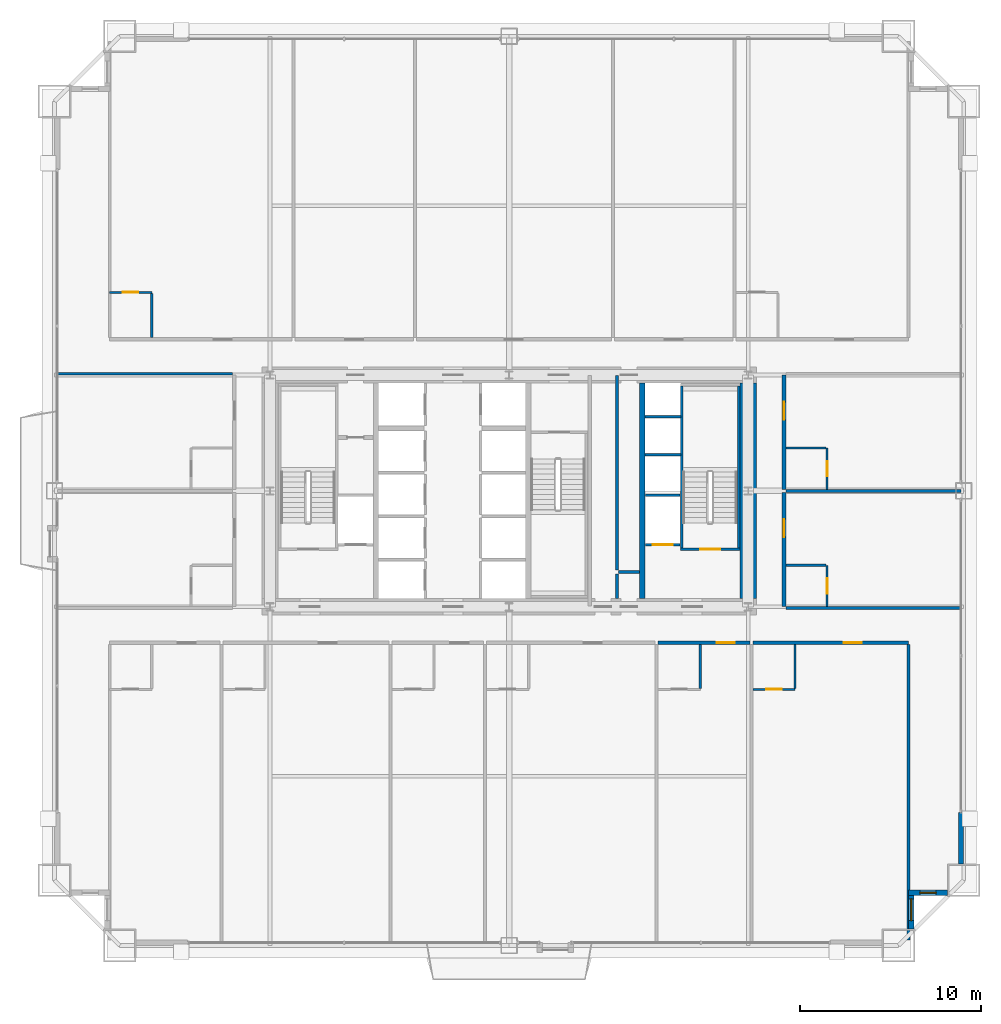
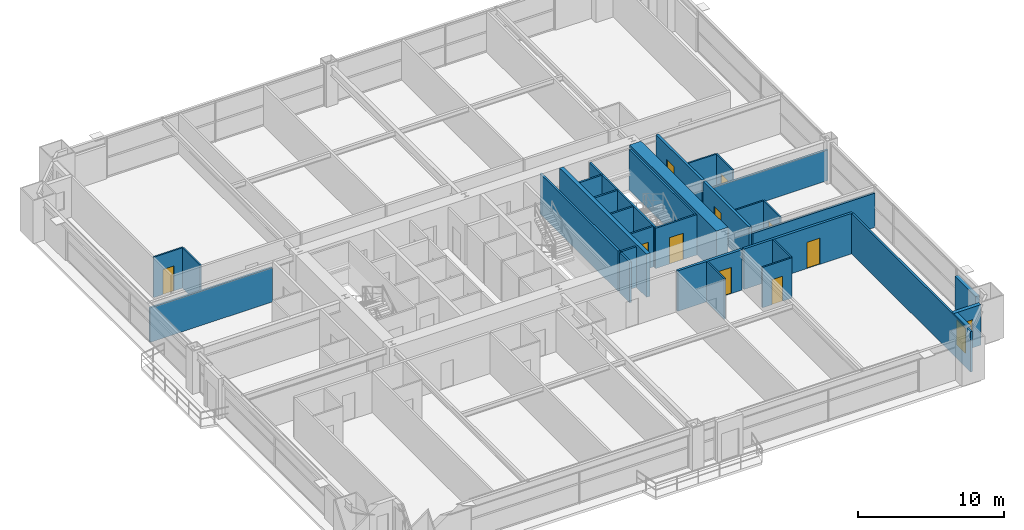
# One storey, part 43 of 46: 32 walls, 10 doors, 2 windows, 12 openings.
"""IFC4 building model written with IfcOpenShell, lengths in metres."""

from ifc_helpers import new_model, si_unit, direction, frame, frame_2d, origin, place, context, subcontext, project, spatial, rectangle, extrude, source, transform, mapped, material, layer, layer_set, type_object, element, fill, save


model = new_model("IFC4")

# Units and contexts
model_context = context("Model", 3, precision=1e-05, world=origin(), true_north=direction((0.0, 1.0)))
body_context = subcontext(model_context, "Body", "Model", "MODEL_VIEW")
ifc_project = project(units=[si_unit("LENGTHUNIT", "METRE"), si_unit("AREAUNIT", "SQUARE_METRE"), si_unit("VOLUMEUNIT", "CUBIC_METRE"), si_unit("PLANEANGLEUNIT", "RADIAN"), si_unit("MASSUNIT", "GRAM", prefix="KILO"), si_unit("THERMODYNAMICTEMPERATUREUNIT", "KELVIN"), si_unit("POWERUNIT", "WATT")], contexts=[model_context])

# Site, building, storey
site_placement = place(None, origin())
site = spatial("IfcSite", under=ifc_project, at=site_placement, CompositionType="ELEMENT")
building_placement = place(site_placement, origin())
building = spatial("IfcBuilding", under=site, at=building_placement, Name="Yuzanri Waterfront Tower", CompositionType="ELEMENT")
storey_placement = place(building_placement, frame((0.0, 0.0, 56.800048828125)))
storey = spatial("IfcBuildingStorey", under=building, at=storey_placement, Name="L14", CompositionType="ELEMENT", Elevation=56.800048828125)

# Wall, opening, door
ifc_material_1 = material(Name="Moisture-Resistant Gypsum Stud Wall", Category="gypsum")
ifc_layer_1 = layer(ifc_material_1, 0.1201171875)
ifc_layer_set_1 = layer_set([ifc_layer_1], Name="Moisture-Resistant Gypsum Stud Wall")
wall_type_1 = type_object("IfcWallType", Name="Bathroom and Kitchen Wet Partition 120", PredefinedType="PARTITIONING", material=ifc_layer_set_1)
wall_1_placement = place(storey_placement, frame((50.462890625, 14.840087890625, 0.0), z_axis=(0.0, 0.0, 1.0), x_axis=(1.0, 0.0, 0.0)))
wall_1 = element("IfcWall", 1, at=wall_1_placement, inside=storey, type_object=wall_type_1, Name="L14 Partition UW-L14-S6-BS", PredefinedType="PARTITIONING", context=body_context, shape_type="SweptSolid", body=[
    extrude(rectangle(XDim=2.330078125, YDim=0.1201171875, at=frame_2d((1.1650390625, 0.0))), origin(), (0.0, 0.0, 1.0), 3.3798828125),
])
opening_1_placement = place(wall_1_placement, frame((0.739990234375, 0.0, 0.0)))
opening_1 = element("IfcOpeningElement", 2, at=opening_1_placement, cuts=wall_1, Name="Opening ID-0850", PredefinedType="OPENING", context=body_context, shape_type="SweptSolid", body=[
    extrude(rectangle(XDim=0.85009765625, YDim=2.10009765625, at=frame_2d((0.425048828125, 1.050048828125))), frame((0.0, 0.074951171875, 0.0), z_axis=(0.0, -1.0, 0.0), x_axis=(1.0, 0.0, 0.0)), (0.0, 0.0, 1.0), 0.14990234375),
])
ifc_material_2 = material(Name="Moisture-Resistant Lacquered Timber", Category="wood")
door_type_1 = type_object("IfcDoorType", Name="En-Suite Bathroom and Kitchen Swing Door 850x2100", OperationType="NOTDEFINED", PredefinedType="DOOR", material=ifc_material_2)
shared_shape_1 = source(origin(), body_context, "Body", "SweptSolid", [
    extrude(rectangle(XDim=0.85009765625, YDim=2.10009765625, at=frame_2d((0.425048828125, 1.050048828125))), frame((0.0, 0.02490234375, 0.0), z_axis=(0.0, -1.0, 0.0), x_axis=(1.0, 0.0, 0.0)), (0.0, 0.0, 1.0), 0.050048828125),
])
door_1_placement = place(opening_1_placement, origin())
door_1 = element("IfcDoor", 3, at=door_1_placement, inside=storey, type_object=door_type_1, Name="L14 Guest En-Suite Door", OperationType="SINGLE_SWING_RIGHT", OverallHeight=2.10009765625, OverallWidth=0.85009765625, PredefinedType="DOOR", context=body_context, shape_type="MappedRepresentation", body=[
    mapped(shared_shape_1, transform((0.0, 0.0, 0.0), scale=1.0)),
])
fill(opening_1, door_1)

wall_2_placement = place(storey_placement, frame((14.93994140625, 36.760009765625, 0.0), z_axis=(0.0, 0.0, 1.0), x_axis=(1.0, 0.0, 0.0)))
wall_2 = element("IfcWall", 4, at=wall_2_placement, inside=storey, type_object=wall_type_1, Name="L14 Partition UW-L14-N1-BN", PredefinedType="PARTITIONING", context=body_context, shape_type="SweptSolid", body=[
    extrude(rectangle(XDim=2.330078125, YDim=0.1201171875, at=frame_2d((1.1650390625, 0.0))), origin(), (0.0, 0.0, 1.0), 3.3798828125),
])
opening_2_placement = place(wall_2_placement, frame((0.739990234375, 0.0, 0.0)))
opening_2 = element("IfcOpeningElement", 5, at=opening_2_placement, cuts=wall_2, Name="Opening ID-0850", PredefinedType="OPENING", context=body_context, shape_type="SweptSolid", body=[
    extrude(rectangle(XDim=0.85009765625, YDim=2.10009765625, at=frame_2d((0.425048828125, 1.050048828125))), frame((0.0, 0.074951171875, 0.0), z_axis=(0.0, -1.0, 0.0), x_axis=(1.0, 0.0, 0.0)), (0.0, 0.0, 1.0), 0.14990234375),
])
door_2_placement = place(opening_2_placement, origin())
door_2 = element("IfcDoor", 6, at=door_2_placement, inside=storey, type_object=door_type_1, Name="L14 Guest En-Suite Door", OperationType="SINGLE_SWING_RIGHT", OverallHeight=2.10009765625, OverallWidth=0.85009765625, PredefinedType="DOOR", context=body_context, shape_type="MappedRepresentation", body=[
    mapped(shared_shape_1, transform((0.0, 0.0, 0.0), scale=1.0)),
])
fill(opening_2, door_2)

wall_3_placement = place(storey_placement, frame((54.56005859375, 19.409912109375, 0.0), z_axis=(0.0, 0.0, 1.0), x_axis=(0.0, 1.0, 0.0)))
wall_3 = element("IfcWall", 7, at=wall_3_placement, inside=storey, type_object=wall_type_1, Name="L14 Partition UW-L14-E1-BE2", PredefinedType="PARTITIONING", context=body_context, shape_type="SweptSolid", body=[
    extrude(rectangle(XDim=2.280029296875, YDim=0.1201171875, at=frame_2d((1.14013671875, 0.0))), origin(), (0.0, 0.0, 1.0), 3.3798828125),
])
opening_3_placement = place(wall_3_placement, frame((0.715087890625, 0.0, 0.0)))
opening_3 = element("IfcOpeningElement", 8, at=opening_3_placement, cuts=wall_3, Name="Opening ID-0850", PredefinedType="OPENING", context=body_context, shape_type="SweptSolid", body=[
    extrude(rectangle(XDim=0.85009765625, YDim=2.10009765625, at=frame_2d((0.425048828125, 1.050048828125))), frame((0.0, 0.074951171875, 0.0), z_axis=(0.0, -1.0, 0.0), x_axis=(1.0, 0.0, 0.0)), (0.0, 0.0, 1.0), 0.14990234375),
])
door_3_placement = place(opening_3_placement, origin())
door_3 = element("IfcDoor", 9, at=door_3_placement, inside=storey, type_object=door_type_1, Name="L14 Guest En-Suite Door", OperationType="SINGLE_SWING_LEFT", OverallHeight=2.10009765625, OverallWidth=0.85009765625, PredefinedType="DOOR", context=body_context, shape_type="MappedRepresentation", body=[
    mapped(shared_shape_1, transform((0.0, 0.0, 0.0), scale=1.0)),
])
fill(opening_3, door_3)

wall_4_placement = place(storey_placement, frame((54.56005859375, 25.8798828125, 0.0), z_axis=(0.0, 0.0, 1.0), x_axis=(0.0, 1.0, 0.0)))
wall_4 = element("IfcWall", 10, at=wall_4_placement, inside=storey, type_object=wall_type_1, Name="L14 Partition UW-L14-E2-BE2", PredefinedType="PARTITIONING", context=body_context, shape_type="SweptSolid", body=[
    extrude(rectangle(XDim=2.280029296875, YDim=0.1201171875, at=frame_2d((1.14013671875, 0.0))), origin(), (0.0, 0.0, 1.0), 3.3798828125),
])
opening_4_placement = place(wall_4_placement, frame((0.715087890625, 0.0, 0.0)))
opening_4 = element("IfcOpeningElement", 11, at=opening_4_placement, cuts=wall_4, Name="Opening ID-0850", PredefinedType="OPENING", context=body_context, shape_type="SweptSolid", body=[
    extrude(rectangle(XDim=0.85009765625, YDim=2.10009765625, at=frame_2d((0.425048828125, 1.050048828125))), frame((0.0, 0.074951171875, 0.0), z_axis=(0.0, -1.0, 0.0), x_axis=(1.0, 0.0, 0.0)), (0.0, 0.0, 1.0), 0.14990234375),
])
door_4_placement = place(opening_4_placement, origin())
door_4 = element("IfcDoor", 12, at=door_4_placement, inside=storey, type_object=door_type_1, Name="L14 Guest En-Suite Door", OperationType="SINGLE_SWING_LEFT", OverallHeight=2.10009765625, OverallWidth=0.85009765625, PredefinedType="DOOR", context=body_context, shape_type="MappedRepresentation", body=[
    mapped(shared_shape_1, transform((0.0, 0.0, 0.0), scale=1.0)),
])
fill(opening_4, door_4)

# Wall, opening, window
ifc_material_3 = material(Name="Honed Chongqing Dark Basalt Stone", Category="masonry")
ifc_layer_2 = layer(ifc_material_3, 0.300048828125)
ifc_layer_set_2 = layer_set([ifc_layer_2], Name="Honed Chongqing Dark Basalt Stone")
wall_type_2 = type_object("IfcWallType", Name="Bronze Rainscreen Insulated Spandrel Portal Wall 300", PredefinedType="SOLIDWALL", material=ifc_layer_set_2)
wall_5_placement = place(storey_placement, frame((59.050048828125, 3.60009765625, 0.0), z_axis=(0.0, 0.0, 1.0), x_axis=(1.0, 0.0, 0.0)))
wall_5 = element("IfcWall", 13, at=wall_5_placement, inside=storey, type_object=wall_type_2, Name="L14 Notched Corner Masonry Wall SE-X", PredefinedType="SOLIDWALL", context=body_context, shape_type="SweptSolid", body=[
    extrude(rectangle(XDim=2.14990234375, YDim=0.300048828125, at=frame_2d((1.074951171875, 0.0))), origin(), (0.0, 0.0, 1.0), 3.3798828125),
])
opening_5_placement = place(wall_5_placement, frame((0.625, 0.0, 0.85009765625)))
opening_5 = element("IfcOpeningElement", 14, at=opening_5_placement, cuts=wall_5, Name="Opening WN-05", PredefinedType="OPENING", context=body_context, shape_type="SweptSolid", body=[
    extrude(rectangle(XDim=0.89990234375, YDim=1.5, at=frame_2d((0.449951171875, 0.75))), frame((0.0, 0.1650390625, 0.0), z_axis=(0.0, -1.0, 0.0), x_axis=(1.0, 0.0, 0.0)), (0.0, 0.0, 1.0), 0.329833984375),
])
ifc_material_4 = material(Name="Double-Silver Low-E Insulated Glass", Category="glass")
window_type_1 = type_object("IfcWindowType", Name="Anodized Bronze Service and Stairwell Smoke-Vent Window 900x1500", PartitioningType="SINGLE_PANEL", PredefinedType="WINDOW", material=ifc_material_4)
shared_shape_2 = source(origin(), body_context, "Body", "SweptSolid", [
    extrude(rectangle(XDim=0.89990234375, YDim=1.5, at=frame_2d((0.449951171875, 0.75))), frame((0.0, 0.030029296875, 0.0), z_axis=(0.0, -1.0, 0.0), x_axis=(1.0, 0.0, 0.0)), (0.0, 0.0, 1.0), 0.06005859375),
])
window_1_placement = place(opening_5_placement, origin())
window_1 = element("IfcWindow", 15, at=window_1_placement, inside=storey, type_object=window_type_1, Name="L14 Notched Corner Window SE-X", OverallHeight=1.5, OverallWidth=0.89990234375, PartitioningType="SINGLE_PANEL", PredefinedType="WINDOW", context=body_context, shape_type="MappedRepresentation", body=[
    mapped(shared_shape_2, transform((0.0, 0.0, 0.0), scale=1.0)),
])
fill(opening_5, window_1)

wall_6_placement = place(storey_placement, frame((59.199951171875, 1.60009765625, 0.0), z_axis=(0.0, 0.0, 1.0), x_axis=(0.0, 1.0, 0.0)))
wall_6 = element("IfcWall", 16, at=wall_6_placement, inside=storey, type_object=wall_type_2, Name="L14 Notched Corner Masonry Wall SE-Y", PredefinedType="SOLIDWALL", context=body_context, shape_type="SweptSolid", body=[
    extrude(rectangle(XDim=2.14990234375, YDim=0.300048828125, at=frame_2d((1.074951171875, 0.0))), origin(), (0.0, 0.0, 1.0), 3.3798828125),
])
opening_6_placement = place(wall_6_placement, frame((0.47509765625, 0.0, 0.85009765625)))
opening_6 = element("IfcOpeningElement", 17, at=opening_6_placement, cuts=wall_6, Name="Opening WN-02", PredefinedType="OPENING", context=body_context, shape_type="SweptSolid", body=[
    extrude(rectangle(XDim=1.199951171875, YDim=2.10009765625, at=frame_2d((0.60009765625, 1.050048828125))), frame((0.0, 0.1650390625, 0.0), z_axis=(0.0, -1.0, 0.0), x_axis=(1.0, 0.0, 0.0)), (0.0, 0.0, 1.0), 0.329833984375),
])
ifc_material_5 = material(Name="Double-Silver Low-E Insulated Glass", Category="glass")
window_type_2 = type_object("IfcWindowType", Name="Anodized Bronze Notched Corner Deep-Set Slot Window 1200x2100", PartitioningType="SINGLE_PANEL", PredefinedType="WINDOW", material=ifc_material_5)
shared_shape_3 = source(origin(), body_context, "Body", "SweptSolid", [
    extrude(rectangle(XDim=1.199951171875, YDim=2.10009765625, at=frame_2d((0.60009765625, 1.050048828125))), frame((0.0, 0.030029296875, 0.0), z_axis=(0.0, -1.0, 0.0), x_axis=(1.0, 0.0, 0.0)), (0.0, 0.0, 1.0), 0.06005859375),
])
window_2_placement = place(opening_6_placement, origin())
window_2 = element("IfcWindow", 18, at=window_2_placement, inside=storey, type_object=window_type_2, Name="L14 Notched Corner Window SE-Y", OverallHeight=2.10009765625, OverallWidth=1.199951171875, PartitioningType="SINGLE_PANEL", PredefinedType="WINDOW", context=body_context, shape_type="MappedRepresentation", body=[
    mapped(shared_shape_3, transform((0.0, 0.0, 0.0), scale=1.0)),
])
fill(opening_6, window_2)

# Wall, opening, door
ifc_material_6 = material(Name="Concrete C40", Category="concrete")
ifc_layer_3 = layer(ifc_material_6, 0.139892578125)
ifc_layer_set_3 = layer_set([ifc_layer_3], Name="Concrete C40")
wall_type_3 = type_object("IfcWallType", Name="Core Stair Liner and Hoistway Shaft Wall 140", PredefinedType="SOLIDWALL", material=ifc_layer_set_3)
wall_7_placement = place(storey_placement, frame((44.52001953125, 22.830078125, 0.0), z_axis=(0.0, 0.0, 1.0), x_axis=(1.0, 0.0, 0.0)))
wall_7 = element("IfcWall", 19, at=wall_7_placement, inside=storey, type_object=wall_type_3, Name="L14 Lift FL-02 Front Shaft Wall", PredefinedType="SOLIDWALL", context=body_context, shape_type="SweptSolid", body=[
    extrude(rectangle(XDim=1.919921875, YDim=0.139892578125, at=frame_2d((0.9599609375, 0.0))), origin(), (0.0, 0.0, 1.0), 3.3798828125),
])
opening_7_placement = place(wall_7_placement, frame((0.409912109375, 0.0, 0.0)))
opening_7 = element("IfcOpeningElement", 20, at=opening_7_placement, cuts=wall_7, Name="Opening LD-FL-02", PredefinedType="OPENING", context=body_context, shape_type="SweptSolid", body=[
    extrude(rectangle(XDim=1.10009765625, YDim=2.199951171875, at=frame_2d((0.550048828125, 1.10009765625))), frame((0.0, 0.0849609375, 0.0), z_axis=(0.0, -1.0, 0.0), x_axis=(1.0, 0.0, 0.0)), (0.0, 0.0, 1.0), 0.169677734375),
])
ifc_material_7 = material(Name="Brushed Bronze and Stainless Steel Cab", Category="steel")
door_type_2 = type_object("IfcDoorType", Name="Center-Parting Bronze Lift Landing Sliding Door 1100x2200", OperationType="NOTDEFINED", PredefinedType="DOOR", material=ifc_material_7)
shared_shape_4 = source(origin(), body_context, "Body", "SweptSolid", [
    extrude(rectangle(XDim=1.10009765625, YDim=2.199951171875, at=frame_2d((0.550048828125, 1.10009765625))), frame((0.0, 0.02490234375, 0.0), z_axis=(0.0, -1.0, 0.0), x_axis=(1.0, 0.0, 0.0)), (0.0, 0.0, 1.0), 0.050048828125),
])
door_5_placement = place(opening_7_placement, origin())
door_5 = element("IfcDoor", 21, at=door_5_placement, inside=storey, type_object=door_type_2, Name="L14 FL-02 Lift Landing Sliding Door", OperationType="SLIDING_TO_RIGHT", OverallHeight=2.199951171875, OverallWidth=1.10009765625, PredefinedType="DOOR", context=body_context, shape_type="MappedRepresentation", body=[
    mapped(shared_shape_4, transform((0.0, 0.0, 0.0), scale=1.0)),
])
fill(opening_7, door_5)

wall_8_placement = place(storey_placement, frame((46.4599609375, 22.570068359375, 0.0), z_axis=(0.0, 0.0, 1.0), x_axis=(1.0, 0.0, 0.0)))
wall_8 = element("IfcWall", 22, at=wall_8_placement, inside=storey, type_object=wall_type_3, Name="L14 Shaft Wall STW-L14-ST-02-S", PredefinedType="SOLIDWALL", context=body_context, shape_type="SweptSolid", body=[
    extrude(rectangle(XDim=3.280029296875, YDim=0.139892578125, at=frame_2d((1.64013671875, 0.0))), origin(), (0.0, 0.0, 1.0), 3.3798828125),
])
opening_8_placement = place(wall_8_placement, frame((1.090087890625, 0.0, 0.0)))
opening_8 = element("IfcOpeningElement", 23, at=opening_8_placement, cuts=wall_8, Name="Opening FD-1100", PredefinedType="OPENING", context=body_context, shape_type="SweptSolid", body=[
    extrude(rectangle(XDim=1.10009765625, YDim=2.199951171875, at=frame_2d((0.550048828125, 1.10009765625))), frame((0.0, 0.0849609375, 0.0), z_axis=(0.0, -1.0, 0.0), x_axis=(1.0, 0.0, 0.0)), (0.0, 0.0, 1.0), 0.169677734375),
])
ifc_material_8 = material(Name="Painted Galvanized Fire Steel", Category="steel")
door_type_3 = type_object("IfcDoorType", Name="Smoke-Proof Stair and Lobby Fire Door 1100x2200", OperationType="NOTDEFINED", PredefinedType="DOOR", material=ifc_material_8)
shared_shape_5 = source(origin(), body_context, "Body", "SweptSolid", [
    extrude(rectangle(XDim=1.10009765625, YDim=2.199951171875, at=frame_2d((0.550048828125, 1.10009765625))), frame((0.0, 0.02490234375, 0.0), z_axis=(0.0, -1.0, 0.0), x_axis=(1.0, 0.0, 0.0)), (0.0, 0.0, 1.0), 0.050048828125),
])
door_6_placement = place(opening_8_placement, origin())
door_6 = element("IfcDoor", 24, at=door_6_placement, inside=storey, type_object=door_type_3, Name="L14 Stair ST-02 Fire Door", OperationType="SINGLE_SWING_LEFT", OverallHeight=2.199951171875, OverallWidth=1.10009765625, PredefinedType="DOOR", context=body_context, shape_type="MappedRepresentation", body=[
    mapped(shared_shape_5, transform((0.0, 0.0, 0.0), scale=1.0)),
])
fill(opening_8, door_6)

ifc_material_9 = material(Name="Autoclaved Aerated Concrete Blockwork", Category="masonry")
ifc_layer_4 = layer(ifc_material_9, 0.199951171875)
ifc_layer_set_4 = layer_set([ifc_layer_4], Name="Autoclaved Aerated Concrete Blockwork")
wall_type_4 = type_object("IfcWallType", Name="Corridor and Unit Party Fire Wall 200", PredefinedType="PARTITIONING", material=ifc_layer_set_4)
wall_9_placement = place(storey_placement, frame((45.22705078125, 17.419921875, 0.0), z_axis=(0.0, 0.0, 1.0), x_axis=(1.0, 0.0, 0.0)))
wall_9 = element("IfcWall", 25, at=wall_9_placement, inside=storey, type_object=wall_type_4, Name="L14 Partition UW-L14-S5-CN", PredefinedType="PARTITIONING", context=body_context, shape_type="SweptSolid", body=[
    extrude(rectangle(XDim=5.075927734375, YDim=0.199951171875, at=frame_2d((2.5380859375, 0.0))), origin(), (0.0, 0.0, 1.0), 3.3798828125),
])
opening_9_placement = place(wall_9_placement, frame((3.242919921875, 0.0, 0.0)))
opening_9 = element("IfcOpeningElement", 26, at=opening_9_placement, cuts=wall_9, Name="Opening FD-1000", PredefinedType="OPENING", context=body_context, shape_type="SweptSolid", body=[
    extrude(rectangle(XDim=1.0, YDim=2.199951171875, at=frame_2d((0.5, 1.10009765625))), frame((0.0, 0.11474609375, 0.0), z_axis=(0.0, -1.0, 0.0), x_axis=(1.0, 0.0, 0.0)), (0.0, 0.0, 1.0), 0.229736328125),
])
ifc_material_10 = material(Name="Engineered Oak Fire-Rated Timber", Category="wood")
door_type_4 = type_object("IfcDoorType", Name="Guestroom and Apartment Entrance Fire Door 1000x2200", OperationType="NOTDEFINED", PredefinedType="DOOR", material=ifc_material_10)
shared_shape_6 = source(origin(), body_context, "Body", "SweptSolid", [
    extrude(rectangle(XDim=1.0, YDim=2.199951171875, at=frame_2d((0.5, 1.10009765625))), frame((0.0, 0.02490234375, 0.0), z_axis=(0.0, -1.0, 0.0), x_axis=(1.0, 0.0, 0.0)), (0.0, 0.0, 1.0), 0.050048828125),
])
door_7_placement = place(opening_9_placement, origin())
door_7 = element("IfcDoor", 27, at=door_7_placement, inside=storey, type_object=door_type_4, Name="L14 Deluxe Riverfront Junior Suite Entrance Door", OperationType="SINGLE_SWING_LEFT", OverallHeight=2.199951171875, OverallWidth=1.0, PredefinedType="DOOR", context=body_context, shape_type="MappedRepresentation", body=[
    mapped(shared_shape_6, transform((0.0, 0.0, 0.0), scale=1.0)),
])
fill(opening_9, door_7)

wall_10_placement = place(storey_placement, frame((50.462890625, 17.419921875, 0.0), z_axis=(0.0, 0.0, 1.0), x_axis=(1.0, 0.0, 0.0)))
wall_10 = element("IfcWall", 28, at=wall_10_placement, inside=storey, type_object=wall_type_4, Name="L14 Partition UW-L14-S6-CN", PredefinedType="PARTITIONING", context=body_context, shape_type="SweptSolid", body=[
    extrude(rectangle(XDim=8.59716796875, YDim=0.199951171875, at=frame_2d((4.298583984375, 0.0))), origin(), (0.0, 0.0, 1.0), 3.3798828125),
])
opening_10_placement = place(wall_10_placement, frame((5.0029296875, 0.0, 0.0)))
opening_10 = element("IfcOpeningElement", 29, at=opening_10_placement, cuts=wall_10, Name="Opening FD-1000", PredefinedType="OPENING", context=body_context, shape_type="SweptSolid", body=[
    extrude(rectangle(XDim=1.0, YDim=2.199951171875, at=frame_2d((0.5, 1.10009765625))), frame((0.0, 0.11474609375, 0.0), z_axis=(0.0, -1.0, 0.0), x_axis=(1.0, 0.0, 0.0)), (0.0, 0.0, 1.0), 0.229736328125),
])
door_8_placement = place(opening_10_placement, origin())
door_8 = element("IfcDoor", 30, at=door_8_placement, inside=storey, type_object=door_type_4, Name="L14 Deluxe Riverfront Junior Suite Entrance Door", OperationType="SINGLE_SWING_LEFT", OverallHeight=2.199951171875, OverallWidth=1.0, PredefinedType="DOOR", context=body_context, shape_type="MappedRepresentation", body=[
    mapped(shared_shape_6, transform((0.0, 0.0, 0.0), scale=1.0)),
])
fill(opening_10, door_8)

wall_11_placement = place(storey_placement, frame((52.179931640625, 19.409912109375, 0.0), z_axis=(0.0, 0.0, 1.0), x_axis=(0.0, 1.0, 0.0)))
wall_11 = element("IfcWall", 31, at=wall_11_placement, inside=storey, type_object=wall_type_4, Name="L14 Partition UW-L14-E1-CW", PredefinedType="PARTITIONING", context=body_context, shape_type="SweptSolid", body=[
    extrude(rectangle(XDim=6.31005859375, YDim=0.199951171875, at=frame_2d((3.155029296875, 0.0))), origin(), (0.0, 0.0, 1.0), 3.3798828125),
])
opening_11_placement = place(wall_11_placement, frame((3.8349609375, 0.0, 0.0)))
opening_11 = element("IfcOpeningElement", 32, at=opening_11_placement, cuts=wall_11, Name="Opening FD-1000", PredefinedType="OPENING", context=body_context, shape_type="SweptSolid", body=[
    extrude(rectangle(XDim=1.0, YDim=2.199951171875, at=frame_2d((0.5, 1.10009765625))), frame((0.0, 0.11474609375, 0.0), z_axis=(0.0, -1.0, 0.0), x_axis=(1.0, 0.0, 0.0)), (0.0, 0.0, 1.0), 0.229736328125),
])
door_9_placement = place(opening_11_placement, origin())
door_9 = element("IfcDoor", 33, at=door_9_placement, inside=storey, type_object=door_type_4, Name="L14 East Guest Room Entrance Door", OperationType="SINGLE_SWING_RIGHT", OverallHeight=2.199951171875, OverallWidth=1.0, PredefinedType="DOOR", context=body_context, shape_type="MappedRepresentation", body=[
    mapped(shared_shape_6, transform((0.0, 0.0, 0.0), scale=1.0)),
])
fill(opening_11, door_9)

wall_12_placement = place(storey_placement, frame((52.179931640625, 25.8798828125, 0.0), z_axis=(0.0, 0.0, 1.0), x_axis=(0.0, 1.0, 0.0)))
wall_12 = element("IfcWall", 34, at=wall_12_placement, inside=storey, type_object=wall_type_4, Name="L14 Partition UW-L14-E2-CW", PredefinedType="PARTITIONING", context=body_context, shape_type="SweptSolid", body=[
    extrude(rectangle(XDim=6.31005859375, YDim=0.199951171875, at=frame_2d((3.155029296875, 0.0))), origin(), (0.0, 0.0, 1.0), 3.3798828125),
])
opening_12_placement = place(wall_12_placement, frame((3.8349609375, 0.0, 0.0)))
opening_12 = element("IfcOpeningElement", 35, at=opening_12_placement, cuts=wall_12, Name="Opening FD-1000", PredefinedType="OPENING", context=body_context, shape_type="SweptSolid", body=[
    extrude(rectangle(XDim=1.0, YDim=2.199951171875, at=frame_2d((0.5, 1.10009765625))), frame((0.0, 0.11474609375, 0.0), z_axis=(0.0, -1.0, 0.0), x_axis=(1.0, 0.0, 0.0)), (0.0, 0.0, 1.0), 0.229736328125),
])
door_10_placement = place(opening_12_placement, origin())
door_10 = element("IfcDoor", 36, at=door_10_placement, inside=storey, type_object=door_type_4, Name="L14 East Guest Room Entrance Door", OperationType="SINGLE_SWING_RIGHT", OverallHeight=2.199951171875, OverallWidth=1.0, PredefinedType="DOOR", context=body_context, shape_type="MappedRepresentation", body=[
    mapped(shared_shape_6, transform((0.0, 0.0, 0.0), scale=1.0)),
])
fill(opening_12, door_10)

# Walls
ifc_material_11 = material(Name="Concrete C60", Category="concrete")
ifc_layer_5 = layer(ifc_material_11, 0.89990234375)
ifc_layer_set_5 = layer_set([ifc_layer_5], Name="Concrete C60")
wall_type_5 = type_object("IfcWallType", Name="Concrete C60 Lower Zone Core Shear Wall 900", PredefinedType="SHEAR", material=ifc_layer_set_5)
shared_shape_7 = source(origin(), body_context, "Body", "SweptSolid", [
    extrude(rectangle(XDim=11.89990234375, YDim=0.89990234375, at=frame_2d((5.949951171875, 0.0))), origin(), (0.0, 0.0, 1.0), 3.599853515625),
])
wall_13_placement = place(storey_placement, frame((50.199951171875, 19.85009765625, 0.0), z_axis=(0.0, 0.0, 1.0), x_axis=(0.0, 1.0, 0.0)))
element("IfcWall", 37, at=wall_13_placement, inside=storey, type_object=wall_type_5, Name="L14 Core East Shear Wall", PredefinedType="SHEAR", context=body_context, shape_type="MappedRepresentation", body=[
    mapped(shared_shape_7, transform((0.0, 0.0, 0.0), scale=1.0)),
])
ifc_material_12 = material(Name="Concrete C50", Category="concrete")
ifc_layer_6 = layer(ifc_material_12, 0.300048828125)
ifc_layer_set_6 = layer_set([ifc_layer_6], Name="Concrete C50")
wall_type_6 = type_object("IfcWallType", Name="Concrete C50 Internal Core Shaft Structural Wall 300", PredefinedType="SOLIDWALL", material=ifc_layer_set_6)
shared_shape_8 = source(origin(), body_context, "Body", "SweptSolid", [
    extrude(rectangle(XDim=11.89990234375, YDim=0.300048828125, at=frame_2d((5.949951171875, 0.0))), origin(), (0.0, 0.0, 1.0), 3.599853515625),
])
wall_14_placement = place(storey_placement, frame((44.35009765625, 19.85009765625, 0.0), z_axis=(0.0, 0.0, 1.0), x_axis=(0.0, 1.0, 0.0)))
element("IfcWall", 38, at=wall_14_placement, inside=storey, type_object=wall_type_6, Name="L14 Core Internal Structural Web Wall 3", PredefinedType="SOLIDWALL", context=body_context, shape_type="MappedRepresentation", body=[
    mapped(shared_shape_8, transform((0.0, 0.0, 0.0), scale=1.0)),
])
shared_shape_9 = source(origin(), body_context, "Body", "SweptSolid", [
    extrude(rectangle(XDim=2.85009765625, YDim=0.300048828125, at=frame_2d((1.425048828125, 0.0))), origin(), (0.0, 0.0, 1.0), 2.77490234375),
])
wall_15_placement = place(storey_placement, frame((61.949951171875, 5.199951171875, 0.0), z_axis=(0.0, 0.0, 1.0), x_axis=(0.0, 1.0, 0.0)))
element("IfcWall", 39, at=wall_15_placement, inside=storey, type_object=wall_type_2, Name="L14 E Left Braced Masonry Shoulder", PredefinedType="SOLIDWALL", context=body_context, shape_type="MappedRepresentation", body=[
    mapped(shared_shape_9, transform((0.0, 0.0, 0.0), scale=1.0)),
])
shared_shape_10 = source(origin(), body_context, "Body", "SweptSolid", [
    extrude(rectangle(XDim=1.919921875, YDim=0.139892578125, at=frame_2d((0.9599609375, 0.0))), origin(), (0.0, 0.0, 1.0), 3.3798828125),
])
wall_16_placement = place(storey_placement, frame((44.52001953125, 25.570068359375, 0.0), z_axis=(0.0, 0.0, 1.0), x_axis=(1.0, 0.0, 0.0)))
element("IfcWall", 40, at=wall_16_placement, inside=storey, type_object=wall_type_3, Name="L14 Lift FL-02 Back Shaft Wall", PredefinedType="SOLIDWALL", context=body_context, shape_type="MappedRepresentation", body=[
    mapped(shared_shape_10, transform((0.0, 0.0, 0.0), scale=1.0)),
])
shared_shape_11 = source(origin(), body_context, "Body", "SweptSolid", [
    extrude(rectangle(XDim=2.0, YDim=0.139892578125, at=frame_2d((1.0, 0.0))), origin(), (0.0, 0.0, 1.0), 3.3798828125),
])
for number, where, z_axis, x_axis, name in (
    (41, (44.5, 27.800048828125, 0.0), (0.0, 0.0, 1.0), (1.0, 0.0, 0.0), "L14 Lift PL-09 Divider Wall"),
    (42, (44.5, 29.89990234375, 0.0), (0.0, 0.0, 1.0), (1.0, 0.0, 0.0), "L14 Lift PL-10 Divider Wall"),
):
    element("IfcWall", number, at=place(storey_placement, frame(where, z_axis=z_axis, x_axis=x_axis)), inside=storey, type_object=wall_type_3, Name=name, PredefinedType="SOLIDWALL", context=body_context, shape_type="MappedRepresentation", body=[
        mapped(shared_shape_11, transform((0.0, 0.0, 0.0), scale=1.0)),
    ])
shared_shape_12 = source(origin(), body_context, "Body", "SweptSolid", [
    extrude(rectangle(XDim=8.940185546875, YDim=0.139892578125, at=frame_2d((4.47021484375, 0.0))), origin(), (0.0, 0.0, 1.0), 3.3798828125),
])
for number, where, z_axis, x_axis, name in (
    (43, (46.530029296875, 22.639892578125, 0.0), (0.0, 0.0, 1.0), (0.0, 1.0, 0.0), "L14 Stair ST-02 West Shaft Wall"),
    (44, (49.669921875, 22.639892578125, 0.0), (0.0, 0.0, 1.0), (0.0, 1.0, 0.0), "L14 Stair ST-02 East Shaft Wall"),
):
    element("IfcWall", number, at=place(storey_placement, frame(where, z_axis=z_axis, x_axis=x_axis)), inside=storey, type_object=wall_type_3, Name=name, PredefinedType="SOLIDWALL", context=body_context, shape_type="MappedRepresentation", body=[
        mapped(shared_shape_12, transform((0.0, 0.0, 0.0), scale=1.0)),
    ])
ifc_material_13 = material(Name="Gypsum Fireboard Acoustic Stud Wall", Category="gypsum")
ifc_layer_7 = layer(ifc_material_13, 0.159912109375)
ifc_layer_set_7 = layer_set([ifc_layer_7], Name="Gypsum Fireboard Acoustic Stud Wall")
wall_type_7 = type_object("IfcWallType", Name="Acoustic Suite Demising Partition 160", PredefinedType="PARTITIONING", material=ifc_layer_set_7)
shared_shape_13 = source(origin(), body_context, "Body", "SweptSolid", [
    extrude(rectangle(XDim=1.33984375, YDim=0.159912109375, at=frame_2d((0.669921875, 0.0))), origin(), (0.0, 0.0, 1.0), 3.3798828125),
])
wall_17_placement = place(storey_placement, frame((42.949951171875, 19.860107421875, 0.0), z_axis=(0.0, 0.0, 1.0), x_axis=(0.0, 1.0, 0.0)))
element("IfcWall", 45, at=wall_17_placement, inside=storey, type_object=wall_type_7, Name="L14 East Wet Riser West Wall", PredefinedType="PARTITIONING", context=body_context, shape_type="MappedRepresentation", body=[
    mapped(shared_shape_13, transform((0.0, 0.0, 0.0), scale=1.0)),
])
shared_shape_14 = source(origin(), body_context, "Body", "SweptSolid", [
    extrude(rectangle(XDim=1.169921875, YDim=0.159912109375, at=frame_2d((0.5849609375, 0.0))), origin(), (0.0, 0.0, 1.0), 3.3798828125),
])
wall_18_placement = place(storey_placement, frame((43.030029296875, 21.320068359375, 0.0), z_axis=(0.0, 0.0, 1.0), x_axis=(1.0, 0.0, 0.0)))
element("IfcWall", 46, at=wall_18_placement, inside=storey, type_object=wall_type_7, Name="L14 East Wet Riser North Wall", PredefinedType="PARTITIONING", context=body_context, shape_type="MappedRepresentation", body=[
    mapped(shared_shape_14, transform((0.0, 0.0, 0.0), scale=1.0)),
])
shared_shape_15 = source(origin(), body_context, "Body", "SweptSolid", [
    extrude(rectangle(XDim=2.420166015625, YDim=0.1201171875, at=frame_2d((1.2099609375, 0.0))), origin(), (0.0, 0.0, 1.0), 3.3798828125),
])
for number, where, z_axis, x_axis, name in (
    (47, (47.556884765625, 14.89990234375, 0.0), (0.0, 0.0, 1.0), (0.0, 1.0, 0.0), "L14-S5 En-Suite Side Wall"),
    (48, (52.79296875, 14.89990234375, 0.0), (0.0, 0.0, 1.0), (0.0, 1.0, 0.0), "L14-S6 En-Suite Side Wall"),
):
    element("IfcWall", number, at=place(storey_placement, frame(where, z_axis=z_axis, x_axis=x_axis)), inside=storey, type_object=wall_type_1, Name=name, PredefinedType="PARTITIONING", context=body_context, shape_type="MappedRepresentation", body=[
        mapped(shared_shape_15, transform((0.0, 0.0, 0.0), scale=1.0)),
    ])
shared_shape_16 = source(origin(), body_context, "Body", "SweptSolid", [
    extrude(rectangle(XDim=16.320068359375, YDim=0.159912109375, at=frame_2d((8.16015625, 0.0))), origin(), (0.0, 0.0, 1.0), 3.3798828125),
])
wall_19_placement = place(storey_placement, frame((59.050048828125, 1.0, 0.0), z_axis=(0.0, 0.0, 1.0), x_axis=(0.0, 1.0, 0.0)))
element("IfcWall", 49, at=wall_19_placement, inside=storey, type_object=wall_type_7, Name="L14 South Band East End Wall", PredefinedType="PARTITIONING", context=body_context, shape_type="MappedRepresentation", body=[
    mapped(shared_shape_16, transform((0.0, 0.0, 0.0), scale=1.0)),
])
shared_shape_17 = source(origin(), body_context, "Body", "SweptSolid", [
    extrude(rectangle(XDim=2.419921875, YDim=0.1201171875, at=frame_2d((1.2099609375, 0.0))), origin(), (0.0, 0.0, 1.0), 3.3798828125),
])
wall_20_placement = place(storey_placement, frame((17.27001953125, 34.280029296875, 0.0), z_axis=(0.0, 0.0, 1.0), x_axis=(0.0, 1.0, 0.0)))
element("IfcWall", 50, at=wall_20_placement, inside=storey, type_object=wall_type_1, Name="L14-N1 En-Suite Side Wall", PredefinedType="PARTITIONING", context=body_context, shape_type="MappedRepresentation", body=[
    mapped(shared_shape_17, transform((0.0, 0.0, 0.0), scale=1.0)),
])
shared_shape_18 = source(origin(), body_context, "Body", "SweptSolid", [
    extrude(rectangle(XDim=9.669921875, YDim=0.159912109375, at=frame_2d((4.8349609375, 0.0))), origin(), (0.0, 0.0, 1.0), 2.574951171875),
])
wall_21_placement = place(storey_placement, frame((52.280029296875, 25.800048828125, 0.0), z_axis=(0.0, 0.0, 1.0), x_axis=(1.0, 0.0, 0.0)))
element("IfcWall", 51, at=wall_21_placement, inside=storey, type_object=wall_type_7, Name="L14-E1 Wing Party Wall", PredefinedType="PARTITIONING", context=body_context, shape_type="MappedRepresentation", body=[
    mapped(shared_shape_18, transform((0.0, 0.0, 0.0), scale=1.0)),
])
shared_shape_19 = source(origin(), body_context, "Body", "SweptSolid", [
    extrude(rectangle(XDim=9.669921875, YDim=0.159912109375, at=frame_2d((4.8349609375, 0.0))), origin(), (0.0, 0.0, 1.0), 2.875),
])
for number, where, z_axis, x_axis, name in (
    (52, (12.050048828125, 32.27001953125, 0.0), (0.0, 0.0, 1.0), (1.0, 0.0, 0.0), "L14-W2 Wing North End Wall"),
    (53, (52.280029296875, 19.330078125, 0.0), (0.0, 0.0, 1.0), (1.0, 0.0, 0.0), "L14-E1 Wing South End Wall"),
):
    element("IfcWall", number, at=place(storey_placement, frame(where, z_axis=z_axis, x_axis=x_axis)), inside=storey, type_object=wall_type_7, Name=name, PredefinedType="PARTITIONING", context=body_context, shape_type="MappedRepresentation", body=[
        mapped(shared_shape_19, transform((0.0, 0.0, 0.0), scale=1.0)),
    ])
shared_shape_20 = source(origin(), body_context, "Body", "SweptSolid", [
    extrude(rectangle(XDim=2.219970703125, YDim=0.1201171875, at=frame_2d((1.10986328125, 0.0))), origin(), (0.0, 0.0, 1.0), 3.3798828125),
])
for number, where, z_axis, x_axis, name in (
    (54, (52.280029296875, 21.68994140625, 0.0), (0.0, 0.0, 1.0), (1.0, 0.0, 0.0), "L14-E1 En-Suite Top Wall"),
    (55, (52.280029296875, 28.159912109375, 0.0), (0.0, 0.0, 1.0), (1.0, 0.0, 0.0), "L14-E2 En-Suite Top Wall"),
):
    element("IfcWall", number, at=place(storey_placement, frame(where, z_axis=z_axis, x_axis=x_axis)), inside=storey, type_object=wall_type_1, Name=name, PredefinedType="PARTITIONING", context=body_context, shape_type="MappedRepresentation", body=[
        mapped(shared_shape_20, transform((0.0, 0.0, 0.0), scale=1.0)),
    ])
shared_shape_21 = source(origin(), body_context, "Body", "SweptSolid", [
    extrude(rectangle(XDim=10.719970703125, YDim=0.159912109375, at=frame_2d((5.35986328125, 0.0))), origin(), (0.0, 0.0, 1.0), 3.3798828125),
])
wall_22_placement = place(storey_placement, frame((42.949951171875, 21.43994140625, 0.0), z_axis=(0.0, 0.0, 1.0), x_axis=(0.0, 1.0, 0.0)))
element("IfcWall", 56, at=wall_22_placement, inside=storey, type_object=wall_type_7, Name="L14 Core BOH Mid Wall 2", PredefinedType="PARTITIONING", context=body_context, shape_type="MappedRepresentation", body=[
    mapped(shared_shape_21, transform((0.0, 0.0, 0.0), scale=1.0)),
])

save(model, "model.ifc")
